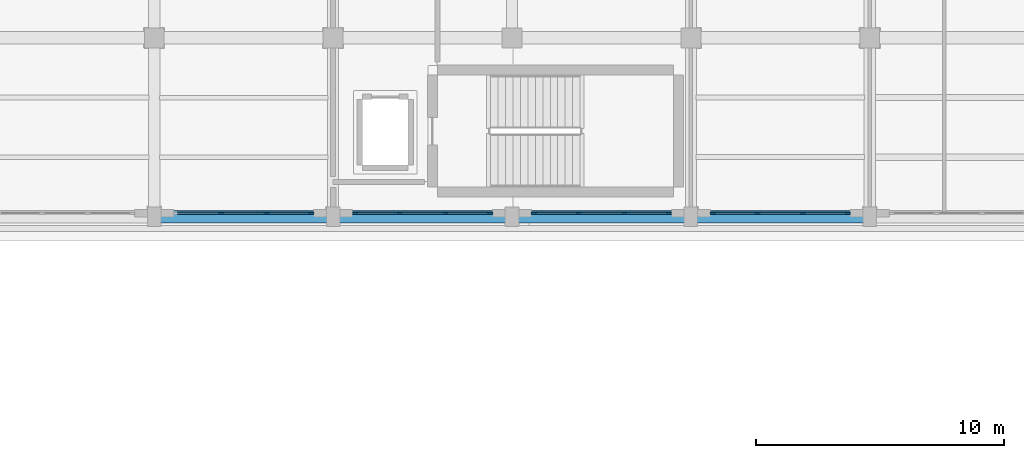
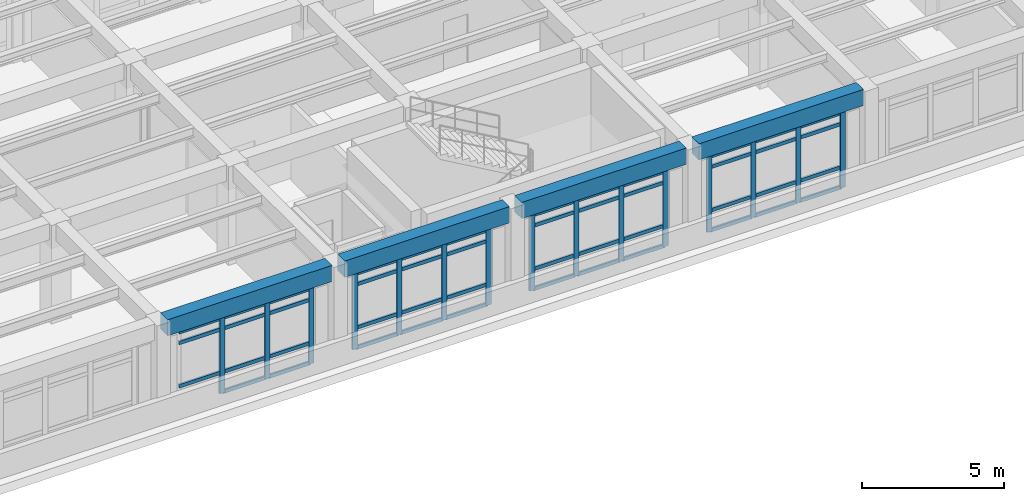
# One storey, part 51 of 98: 62 members, 4 beams, 4 elements without a shape of their own.
"""IFC4 building model written with IfcOpenShell, lengths in metres."""

from ifc_helpers import new_model, si_unit, direction, frame, origin, origin_2d, place, context, subcontext, project, spatial, rectangle, extrude, material, layer, layer_set, material_profile, profile_set, type_object, element, aggregate, save


model = new_model("IFC4")

# Units and contexts
model_context = context("Model", 3, precision=1e-05, world=origin(), true_north=direction((0.0, 1.0)))
body_context = subcontext(model_context, "Body", "Model", "MODEL_VIEW")
ifc_project = project(units=[si_unit("LENGTHUNIT", "METRE"), si_unit("AREAUNIT", "SQUARE_METRE"), si_unit("VOLUMEUNIT", "CUBIC_METRE"), si_unit("PLANEANGLEUNIT", "RADIAN"), si_unit("MASSUNIT", "GRAM", prefix="KILO")], contexts=[model_context])

# Site, building, storey
site_placement = place(None, origin())
site = spatial("IfcSite", under=ifc_project, at=site_placement, CompositionType="ELEMENT")
building_placement = place(site_placement, origin())
building = spatial("IfcBuilding", under=site, at=building_placement, Name="Solenvale Faculty of Natural Sciences", CompositionType="ELEMENT")
storey_placement = place(building_placement, frame((0.0, 0.0, 9.0)))
storey = spatial("IfcBuildingStorey", under=building, at=storey_placement, Name="L02", CompositionType="ELEMENT", Elevation=9.0)

# Beams
ifc_material_1 = material(Name="Concrete 40 MPa", Category="concrete")
ifc_material_profile_1 = material_profile(ifc_material_1, rectangle(XDim=0.5, YDim=0.699951171875, at=origin_2d()), Name="RC-BM-500x700")
ifc_profile_set_1 = profile_set([ifc_material_profile_1], Name="Concrete 40 MPa")
beam_type = type_object("IfcBeamType", Name="BM-RC-500x700", PredefinedType="BEAM", material=ifc_profile_set_1)
beam_1_placement = place(storey_placement, frame((93.85498046875, 93.60009765625, 3.8701171875), z_axis=(1.0, 0.0, 0.0), x_axis=(0.0, 1.0, 0.0)))
element("IfcBeam", 1, at=beam_1_placement, inside=storey, type_object=beam_type, Name="L02 X-Girder Y93.6 (93.6..100.8)", PredefinedType="BEAM", context=body_context, shape_type="SweptSolid", body=[
    extrude(rectangle(XDim=0.5, YDim=0.699951171875, at=origin_2d()), origin(), (0.0, 0.0, 1.0), 6.68994140625),
])
for number, where, z_axis, x_axis, name in (
    (2, (101.054931640625, 93.60009765625, 3.8701171875), (1.0, 0.0, 0.0), (0.0, 1.0, 0.0), "L02 X-Girder Y93.6 (100.8..108.0)"),
    (3, (108.2548828125, 93.60009765625, 3.8701171875), (1.0, 0.0, 0.0), (0.0, 1.0, 0.0), "L02 X-Girder Y93.6 (108.0..115.2)"),
):
    element("IfcBeam", number, at=place(storey_placement, frame(where, z_axis=z_axis, x_axis=x_axis)), inside=storey, type_object=beam_type, Name=name, PredefinedType="BEAM", context=body_context, shape_type="SweptSolid", body=[
        extrude(rectangle(XDim=0.5, YDim=0.699951171875, at=origin_2d()), origin(), (0.0, 0.0, 1.0), 6.690185546875),
    ])
beam_2_placement = place(storey_placement, frame((115.455078125, 93.60009765625, 3.8701171875), z_axis=(1.0, 0.0, 0.0), x_axis=(0.0, 1.0, 0.0)))
element("IfcBeam", 4, at=beam_2_placement, inside=storey, type_object=beam_type, Name="L02 X-Girder Y93.6 (115.2..122.4)", PredefinedType="BEAM", context=body_context, shape_type="SweptSolid", body=[
    extrude(rectangle(XDim=0.5, YDim=0.699951171875, at=origin_2d()), origin(), (0.0, 0.0, 1.0), 6.68994140625),
])

# Curtain wall, members
ifc_material_2 = material(Name="Anodised bronze aluminium", Category="aluminium")
ifc_layer = layer(ifc_material_2, 0.179931640625)
ifc_layer_set = layer_set([ifc_layer], Name="Anodised bronze aluminium")
curtain_wall_type = type_object("IfcCurtainWallType", Name="CW-TWR-MOD", PredefinedType="USERDEFINED", material=ifc_layer_set)
curtain_wall_1_placement = place(storey_placement, origin())
curtain_wall_1 = element("IfcCurtainWall", 5, at=curtain_wall_1_placement, inside=storey, type_object=curtain_wall_type, Name="L02 Curtain Wall CW-L02-P2-E6-B3", ObjectType="UNITISED CURTAIN WALL", PredefinedType="USERDEFINED")
ifc_material_profile_2 = material_profile(ifc_material_2, rectangle(XDim=0.074951171875, YDim=0.2099609375, at=origin_2d()), Name="ALU-MUL-75x210")
ifc_profile_set_2 = profile_set([ifc_material_profile_2], Name="Anodised bronze aluminium")
member_type_1 = type_object("IfcMemberType", Name="CWM-ALU-75x210", PredefinedType="MULLION", material=ifc_profile_set_2)
member_1_placement = place(storey_placement, frame((96.283447265625, 93.742431640625, 0.0), z_axis=(0.0, 0.0, 1.0), x_axis=(0.0, 1.0, 0.0)))
member_1 = element("IfcMember", 6, at=member_1_placement, type_object=member_type_1, Name="CW-04 mullion 2", PredefinedType="MULLION", context=body_context, shape_type="SweptSolid", body=[
    extrude(rectangle(XDim=0.074951171875, YDim=0.2099609375, at=origin_2d()), origin(), (0.0, 0.0, 1.0), 3.260009765625),
])
member_2_placement = place(storey_placement, frame((98.11669921875, 93.742431640625, 0.0), z_axis=(0.0, 0.0, 1.0), x_axis=(0.0, 1.0, 0.0)))
member_2 = element("IfcMember", 7, at=member_2_placement, type_object=member_type_1, Name="CW-04 mullion 3", PredefinedType="MULLION", context=body_context, shape_type="SweptSolid", body=[
    extrude(rectangle(XDim=0.074951171875, YDim=0.2099609375, at=origin_2d()), origin(), (0.0, 0.0, 1.0), 3.260009765625),
])
member_3_placement = place(storey_placement, frame((99.91259765625, 93.742431640625, 0.0), z_axis=(0.0, 0.0, 1.0), x_axis=(0.0, 1.0, 0.0)))
member_3 = element("IfcMember", 8, at=member_3_placement, type_object=member_type_1, Name="CW-04 mullion 4", PredefinedType="MULLION", context=body_context, shape_type="SweptSolid", body=[
    extrude(rectangle(XDim=0.074951171875, YDim=0.2099609375, at=origin_2d()), origin(), (0.0, 0.0, 1.0), 3.260009765625),
])

curtain_wall_2_placement = place(storey_placement, origin())
curtain_wall_2 = element("IfcCurtainWall", 9, at=curtain_wall_2_placement, inside=storey, type_object=curtain_wall_type, Name="L02 Curtain Wall CW-L02-P2-E6-B4", ObjectType="UNITISED CURTAIN WALL", PredefinedType="USERDEFINED")
member_4_placement = place(storey_placement, frame((101.6875, 93.742431640625, 0.0), z_axis=(0.0, 0.0, 1.0), x_axis=(0.0, 1.0, 0.0)))
member_4 = element("IfcMember", 10, at=member_4_placement, type_object=member_type_1, Name="CW-04 mullion 1", PredefinedType="MULLION", context=body_context, shape_type="SweptSolid", body=[
    extrude(rectangle(XDim=0.074951171875, YDim=0.2099609375, at=origin_2d()), origin(), (0.0, 0.0, 1.0), 3.260009765625),
])
member_5_placement = place(storey_placement, frame((103.4833984375, 93.742431640625, 0.0), z_axis=(0.0, 0.0, 1.0), x_axis=(0.0, 1.0, 0.0)))
member_5 = element("IfcMember", 11, at=member_5_placement, type_object=member_type_1, Name="CW-04 mullion 2", PredefinedType="MULLION", context=body_context, shape_type="SweptSolid", body=[
    extrude(rectangle(XDim=0.074951171875, YDim=0.2099609375, at=origin_2d()), origin(), (0.0, 0.0, 1.0), 3.260009765625),
])
member_6_placement = place(storey_placement, frame((105.316650390625, 93.742431640625, 0.0), z_axis=(0.0, 0.0, 1.0), x_axis=(0.0, 1.0, 0.0)))
member_6 = element("IfcMember", 12, at=member_6_placement, type_object=member_type_1, Name="CW-04 mullion 3", PredefinedType="MULLION", context=body_context, shape_type="SweptSolid", body=[
    extrude(rectangle(XDim=0.074951171875, YDim=0.2099609375, at=origin_2d()), origin(), (0.0, 0.0, 1.0), 3.260009765625),
])
member_7_placement = place(storey_placement, frame((107.112548828125, 93.742431640625, 0.0), z_axis=(0.0, 0.0, 1.0), x_axis=(0.0, 1.0, 0.0)))
member_7 = element("IfcMember", 13, at=member_7_placement, type_object=member_type_1, Name="CW-04 mullion 4", PredefinedType="MULLION", context=body_context, shape_type="SweptSolid", body=[
    extrude(rectangle(XDim=0.074951171875, YDim=0.2099609375, at=origin_2d()), origin(), (0.0, 0.0, 1.0), 3.260009765625),
])

curtain_wall_3_placement = place(storey_placement, origin())
curtain_wall_3 = element("IfcCurtainWall", 14, at=curtain_wall_3_placement, inside=storey, type_object=curtain_wall_type, Name="L02 Curtain Wall CW-L02-P2-E6-B5", ObjectType="UNITISED CURTAIN WALL", PredefinedType="USERDEFINED")
member_8_placement = place(storey_placement, frame((108.887451171875, 93.742431640625, 0.0), z_axis=(0.0, 0.0, 1.0), x_axis=(0.0, 1.0, 0.0)))
member_8 = element("IfcMember", 15, at=member_8_placement, type_object=member_type_1, Name="CW-04 mullion 1", PredefinedType="MULLION", context=body_context, shape_type="SweptSolid", body=[
    extrude(rectangle(XDim=0.074951171875, YDim=0.2099609375, at=origin_2d()), origin(), (0.0, 0.0, 1.0), 3.260009765625),
])
member_9_placement = place(storey_placement, frame((110.683349609375, 93.742431640625, 0.0), z_axis=(0.0, 0.0, 1.0), x_axis=(0.0, 1.0, 0.0)))
member_9 = element("IfcMember", 16, at=member_9_placement, type_object=member_type_1, Name="CW-04 mullion 2", PredefinedType="MULLION", context=body_context, shape_type="SweptSolid", body=[
    extrude(rectangle(XDim=0.074951171875, YDim=0.2099609375, at=origin_2d()), origin(), (0.0, 0.0, 1.0), 3.260009765625),
])
member_10_placement = place(storey_placement, frame((112.5166015625, 93.742431640625, 0.0), z_axis=(0.0, 0.0, 1.0), x_axis=(0.0, 1.0, 0.0)))
member_10 = element("IfcMember", 17, at=member_10_placement, type_object=member_type_1, Name="CW-04 mullion 3", PredefinedType="MULLION", context=body_context, shape_type="SweptSolid", body=[
    extrude(rectangle(XDim=0.074951171875, YDim=0.2099609375, at=origin_2d()), origin(), (0.0, 0.0, 1.0), 3.260009765625),
])
member_11_placement = place(storey_placement, frame((114.3125, 93.742431640625, 0.0), z_axis=(0.0, 0.0, 1.0), x_axis=(0.0, 1.0, 0.0)))
member_11 = element("IfcMember", 18, at=member_11_placement, type_object=member_type_1, Name="CW-04 mullion 4", PredefinedType="MULLION", context=body_context, shape_type="SweptSolid", body=[
    extrude(rectangle(XDim=0.074951171875, YDim=0.2099609375, at=origin_2d()), origin(), (0.0, 0.0, 1.0), 3.260009765625),
])

curtain_wall_4_placement = place(storey_placement, origin())
curtain_wall_4 = element("IfcCurtainWall", 19, at=curtain_wall_4_placement, inside=storey, type_object=curtain_wall_type, Name="L02 Curtain Wall CW-L02-P2-E6-B6", ObjectType="UNITISED CURTAIN WALL", PredefinedType="USERDEFINED")
member_12_placement = place(storey_placement, frame((116.08740234375, 93.742431640625, 0.0), z_axis=(0.0, 0.0, 1.0), x_axis=(0.0, 1.0, 0.0)))
member_12 = element("IfcMember", 20, at=member_12_placement, type_object=member_type_1, Name="CW-04 mullion 1", PredefinedType="MULLION", context=body_context, shape_type="SweptSolid", body=[
    extrude(rectangle(XDim=0.074951171875, YDim=0.2099609375, at=origin_2d()), origin(), (0.0, 0.0, 1.0), 3.260009765625),
])
member_13_placement = place(storey_placement, frame((117.88330078125, 93.742431640625, 0.0), z_axis=(0.0, 0.0, 1.0), x_axis=(0.0, 1.0, 0.0)))
member_13 = element("IfcMember", 21, at=member_13_placement, type_object=member_type_1, Name="CW-04 mullion 2", PredefinedType="MULLION", context=body_context, shape_type="SweptSolid", body=[
    extrude(rectangle(XDim=0.074951171875, YDim=0.2099609375, at=origin_2d()), origin(), (0.0, 0.0, 1.0), 3.260009765625),
])
member_14_placement = place(storey_placement, frame((119.716552734375, 93.742431640625, 0.0), z_axis=(0.0, 0.0, 1.0), x_axis=(0.0, 1.0, 0.0)))
member_14 = element("IfcMember", 22, at=member_14_placement, type_object=member_type_1, Name="CW-04 mullion 3", PredefinedType="MULLION", context=body_context, shape_type="SweptSolid", body=[
    extrude(rectangle(XDim=0.074951171875, YDim=0.2099609375, at=origin_2d()), origin(), (0.0, 0.0, 1.0), 3.260009765625),
])
member_15_placement = place(storey_placement, frame((121.512451171875, 93.742431640625, 0.0), z_axis=(0.0, 0.0, 1.0), x_axis=(0.0, 1.0, 0.0)))
member_15 = element("IfcMember", 23, at=member_15_placement, type_object=member_type_1, Name="CW-04 mullion 4", PredefinedType="MULLION", context=body_context, shape_type="SweptSolid", body=[
    extrude(rectangle(XDim=0.074951171875, YDim=0.2099609375, at=origin_2d()), origin(), (0.0, 0.0, 1.0), 3.260009765625),
])

# Member
ifc_material_profile_3 = material_profile(ifc_material_2, rectangle(XDim=0.074951171875, YDim=0.155029296875, at=origin_2d()), Name="ALU-TRN-75x155")
ifc_profile_set_3 = profile_set([ifc_material_profile_3], Name="Anodised bronze aluminium")
member_type_2 = type_object("IfcMemberType", Name="CWT-ALU-75x155", PredefinedType="USERDEFINED", material=ifc_profile_set_3)
member_16_placement = place(storey_placement, frame((94.52490234375, 93.742431640625, 0.89990234375), z_axis=(1.0, 0.0, 0.0), x_axis=(0.0, 1.0, 0.0)))
member_16 = element("IfcMember", 24, at=member_16_placement, type_object=member_type_2, Name="CW-04 transom 1.2", ObjectType="TRANSOM", PredefinedType="USERDEFINED", context=body_context, shape_type="SweptSolid", body=[
    extrude(rectangle(XDim=0.074951171875, YDim=0.155029296875, at=origin_2d()), origin(), (0.0, 0.0, 1.0), 1.720947265625),
])

member_17_placement = place(storey_placement, frame((94.52490234375, 93.742431640625, 2.760009765625), z_axis=(1.0, 0.0, 0.0), x_axis=(0.0, 1.0, 0.0)))
member_17 = element("IfcMember", 25, at=member_17_placement, type_object=member_type_2, Name="CW-04 transom 1.3", ObjectType="TRANSOM", PredefinedType="USERDEFINED", context=body_context, shape_type="SweptSolid", body=[
    extrude(rectangle(XDim=0.074951171875, YDim=0.155029296875, at=origin_2d()), origin(), (0.0, 0.0, 1.0), 1.720947265625),
])

member_18_placement = place(storey_placement, frame((94.52490234375, 93.742431640625, 3.222412109375), z_axis=(1.0, 0.0, 0.0), x_axis=(0.0, 1.0, 0.0)))
member_18 = element("IfcMember", 26, at=member_18_placement, type_object=member_type_2, Name="CW-04 transom 1.4", ObjectType="TRANSOM", PredefinedType="USERDEFINED", context=body_context, shape_type="SweptSolid", body=[
    extrude(rectangle(XDim=0.074951171875, YDim=0.155029296875, at=origin_2d()), origin(), (0.0, 0.0, 1.0), 1.720947265625),
])

member_19_placement = place(storey_placement, frame((96.32080078125, 93.742431640625, 0.03759765625), z_axis=(1.0, 0.0, 0.0), x_axis=(0.0, 1.0, 0.0)))
member_19 = element("IfcMember", 27, at=member_19_placement, type_object=member_type_2, Name="CW-04 transom 2.1", ObjectType="TRANSOM", PredefinedType="USERDEFINED", context=body_context, shape_type="SweptSolid", body=[
    extrude(rectangle(XDim=0.074951171875, YDim=0.155029296875, at=origin_2d()), origin(), (0.0, 0.0, 1.0), 1.75830078125),
])

member_20_placement = place(storey_placement, frame((96.32080078125, 93.742431640625, 0.89990234375), z_axis=(1.0, 0.0, 0.0), x_axis=(0.0, 1.0, 0.0)))
member_20 = element("IfcMember", 28, at=member_20_placement, type_object=member_type_2, Name="CW-04 transom 2.2", ObjectType="TRANSOM", PredefinedType="USERDEFINED", context=body_context, shape_type="SweptSolid", body=[
    extrude(rectangle(XDim=0.074951171875, YDim=0.155029296875, at=origin_2d()), origin(), (0.0, 0.0, 1.0), 1.75830078125),
])

member_21_placement = place(storey_placement, frame((96.32080078125, 93.742431640625, 2.760009765625), z_axis=(1.0, 0.0, 0.0), x_axis=(0.0, 1.0, 0.0)))
member_21 = element("IfcMember", 29, at=member_21_placement, type_object=member_type_2, Name="CW-04 transom 2.3", ObjectType="TRANSOM", PredefinedType="USERDEFINED", context=body_context, shape_type="SweptSolid", body=[
    extrude(rectangle(XDim=0.074951171875, YDim=0.155029296875, at=origin_2d()), origin(), (0.0, 0.0, 1.0), 1.75830078125),
])

member_22_placement = place(storey_placement, frame((96.32080078125, 93.742431640625, 3.222412109375), z_axis=(1.0, 0.0, 0.0), x_axis=(0.0, 1.0, 0.0)))
member_22 = element("IfcMember", 30, at=member_22_placement, type_object=member_type_2, Name="CW-04 transom 2.4", ObjectType="TRANSOM", PredefinedType="USERDEFINED", context=body_context, shape_type="SweptSolid", body=[
    extrude(rectangle(XDim=0.074951171875, YDim=0.155029296875, at=origin_2d()), origin(), (0.0, 0.0, 1.0), 1.75830078125),
])

member_23_placement = place(storey_placement, frame((98.154052734375, 93.742431640625, 0.03759765625), z_axis=(1.0, 0.0, 0.0), x_axis=(0.0, 1.0, 0.0)))
member_23 = element("IfcMember", 31, at=member_23_placement, type_object=member_type_2, Name="CW-04 transom 3.1", ObjectType="TRANSOM", PredefinedType="USERDEFINED", context=body_context, shape_type="SweptSolid", body=[
    extrude(rectangle(XDim=0.074951171875, YDim=0.155029296875, at=origin_2d()), origin(), (0.0, 0.0, 1.0), 1.720947265625),
])

member_24_placement = place(storey_placement, frame((98.154052734375, 93.742431640625, 0.89990234375), z_axis=(1.0, 0.0, 0.0), x_axis=(0.0, 1.0, 0.0)))
member_24 = element("IfcMember", 32, at=member_24_placement, type_object=member_type_2, Name="CW-04 transom 3.2", ObjectType="TRANSOM", PredefinedType="USERDEFINED", context=body_context, shape_type="SweptSolid", body=[
    extrude(rectangle(XDim=0.074951171875, YDim=0.155029296875, at=origin_2d()), origin(), (0.0, 0.0, 1.0), 1.720947265625),
])

member_25_placement = place(storey_placement, frame((98.154052734375, 93.742431640625, 2.760009765625), z_axis=(1.0, 0.0, 0.0), x_axis=(0.0, 1.0, 0.0)))
member_25 = element("IfcMember", 33, at=member_25_placement, type_object=member_type_2, Name="CW-04 transom 3.3", ObjectType="TRANSOM", PredefinedType="USERDEFINED", context=body_context, shape_type="SweptSolid", body=[
    extrude(rectangle(XDim=0.074951171875, YDim=0.155029296875, at=origin_2d()), origin(), (0.0, 0.0, 1.0), 1.720947265625),
])

member_26_placement = place(storey_placement, frame((98.154052734375, 93.742431640625, 3.222412109375), z_axis=(1.0, 0.0, 0.0), x_axis=(0.0, 1.0, 0.0)))
member_26 = element("IfcMember", 34, at=member_26_placement, type_object=member_type_2, Name="CW-04 transom 3.4", ObjectType="TRANSOM", PredefinedType="USERDEFINED", context=body_context, shape_type="SweptSolid", body=[
    extrude(rectangle(XDim=0.074951171875, YDim=0.155029296875, at=origin_2d()), origin(), (0.0, 0.0, 1.0), 1.720947265625),
])

aggregate(curtain_wall_1, [member_1, member_2, member_3, member_16, member_17, member_18, member_19, member_20, member_21, member_22, member_23, member_24, member_25, member_26])

member_27_placement = place(storey_placement, frame((101.72509765625, 93.742431640625, 0.03759765625), z_axis=(1.0, 0.0, 0.0), x_axis=(0.0, 1.0, 0.0)))
member_27 = element("IfcMember", 35, at=member_27_placement, type_object=member_type_2, Name="CW-04 transom 1.1", ObjectType="TRANSOM", PredefinedType="USERDEFINED", context=body_context, shape_type="SweptSolid", body=[
    extrude(rectangle(XDim=0.074951171875, YDim=0.155029296875, at=origin_2d()), origin(), (0.0, 0.0, 1.0), 1.720703125),
])

member_28_placement = place(storey_placement, frame((101.72509765625, 93.742431640625, 0.89990234375), z_axis=(1.0, 0.0, 0.0), x_axis=(0.0, 1.0, 0.0)))
member_28 = element("IfcMember", 36, at=member_28_placement, type_object=member_type_2, Name="CW-04 transom 1.2", ObjectType="TRANSOM", PredefinedType="USERDEFINED", context=body_context, shape_type="SweptSolid", body=[
    extrude(rectangle(XDim=0.074951171875, YDim=0.155029296875, at=origin_2d()), origin(), (0.0, 0.0, 1.0), 1.720703125),
])

member_29_placement = place(storey_placement, frame((101.72509765625, 93.742431640625, 2.760009765625), z_axis=(1.0, 0.0, 0.0), x_axis=(0.0, 1.0, 0.0)))
member_29 = element("IfcMember", 37, at=member_29_placement, type_object=member_type_2, Name="CW-04 transom 1.3", ObjectType="TRANSOM", PredefinedType="USERDEFINED", context=body_context, shape_type="SweptSolid", body=[
    extrude(rectangle(XDim=0.074951171875, YDim=0.155029296875, at=origin_2d()), origin(), (0.0, 0.0, 1.0), 1.720703125),
])

member_30_placement = place(storey_placement, frame((101.72509765625, 93.742431640625, 3.222412109375), z_axis=(1.0, 0.0, 0.0), x_axis=(0.0, 1.0, 0.0)))
member_30 = element("IfcMember", 38, at=member_30_placement, type_object=member_type_2, Name="CW-04 transom 1.4", ObjectType="TRANSOM", PredefinedType="USERDEFINED", context=body_context, shape_type="SweptSolid", body=[
    extrude(rectangle(XDim=0.074951171875, YDim=0.155029296875, at=origin_2d()), origin(), (0.0, 0.0, 1.0), 1.720703125),
])

member_31_placement = place(storey_placement, frame((103.520751953125, 93.742431640625, 0.03759765625), z_axis=(1.0, 0.0, 0.0), x_axis=(0.0, 1.0, 0.0)))
member_31 = element("IfcMember", 39, at=member_31_placement, type_object=member_type_2, Name="CW-04 transom 2.1", ObjectType="TRANSOM", PredefinedType="USERDEFINED", context=body_context, shape_type="SweptSolid", body=[
    extrude(rectangle(XDim=0.074951171875, YDim=0.155029296875, at=origin_2d()), origin(), (0.0, 0.0, 1.0), 1.75830078125),
])

member_32_placement = place(storey_placement, frame((103.520751953125, 93.742431640625, 0.89990234375), z_axis=(1.0, 0.0, 0.0), x_axis=(0.0, 1.0, 0.0)))
member_32 = element("IfcMember", 40, at=member_32_placement, type_object=member_type_2, Name="CW-04 transom 2.2", ObjectType="TRANSOM", PredefinedType="USERDEFINED", context=body_context, shape_type="SweptSolid", body=[
    extrude(rectangle(XDim=0.074951171875, YDim=0.155029296875, at=origin_2d()), origin(), (0.0, 0.0, 1.0), 1.75830078125),
])

member_33_placement = place(storey_placement, frame((103.520751953125, 93.742431640625, 2.760009765625), z_axis=(1.0, 0.0, 0.0), x_axis=(0.0, 1.0, 0.0)))
member_33 = element("IfcMember", 41, at=member_33_placement, type_object=member_type_2, Name="CW-04 transom 2.3", ObjectType="TRANSOM", PredefinedType="USERDEFINED", context=body_context, shape_type="SweptSolid", body=[
    extrude(rectangle(XDim=0.074951171875, YDim=0.155029296875, at=origin_2d()), origin(), (0.0, 0.0, 1.0), 1.75830078125),
])

member_34_placement = place(storey_placement, frame((103.520751953125, 93.742431640625, 3.222412109375), z_axis=(1.0, 0.0, 0.0), x_axis=(0.0, 1.0, 0.0)))
member_34 = element("IfcMember", 42, at=member_34_placement, type_object=member_type_2, Name="CW-04 transom 2.4", ObjectType="TRANSOM", PredefinedType="USERDEFINED", context=body_context, shape_type="SweptSolid", body=[
    extrude(rectangle(XDim=0.074951171875, YDim=0.155029296875, at=origin_2d()), origin(), (0.0, 0.0, 1.0), 1.75830078125),
])

member_35_placement = place(storey_placement, frame((105.354248046875, 93.742431640625, 0.03759765625), z_axis=(1.0, 0.0, 0.0), x_axis=(0.0, 1.0, 0.0)))
member_35 = element("IfcMember", 43, at=member_35_placement, type_object=member_type_2, Name="CW-04 transom 3.1", ObjectType="TRANSOM", PredefinedType="USERDEFINED", context=body_context, shape_type="SweptSolid", body=[
    extrude(rectangle(XDim=0.074951171875, YDim=0.155029296875, at=origin_2d()), origin(), (0.0, 0.0, 1.0), 1.720703125),
])

member_36_placement = place(storey_placement, frame((105.354248046875, 93.742431640625, 0.89990234375), z_axis=(1.0, 0.0, 0.0), x_axis=(0.0, 1.0, 0.0)))
member_36 = element("IfcMember", 44, at=member_36_placement, type_object=member_type_2, Name="CW-04 transom 3.2", ObjectType="TRANSOM", PredefinedType="USERDEFINED", context=body_context, shape_type="SweptSolid", body=[
    extrude(rectangle(XDim=0.074951171875, YDim=0.155029296875, at=origin_2d()), origin(), (0.0, 0.0, 1.0), 1.720703125),
])

member_37_placement = place(storey_placement, frame((105.354248046875, 93.742431640625, 2.760009765625), z_axis=(1.0, 0.0, 0.0), x_axis=(0.0, 1.0, 0.0)))
member_37 = element("IfcMember", 45, at=member_37_placement, type_object=member_type_2, Name="CW-04 transom 3.3", ObjectType="TRANSOM", PredefinedType="USERDEFINED", context=body_context, shape_type="SweptSolid", body=[
    extrude(rectangle(XDim=0.074951171875, YDim=0.155029296875, at=origin_2d()), origin(), (0.0, 0.0, 1.0), 1.720703125),
])

member_38_placement = place(storey_placement, frame((105.354248046875, 93.742431640625, 3.222412109375), z_axis=(1.0, 0.0, 0.0), x_axis=(0.0, 1.0, 0.0)))
member_38 = element("IfcMember", 46, at=member_38_placement, type_object=member_type_2, Name="CW-04 transom 3.4", ObjectType="TRANSOM", PredefinedType="USERDEFINED", context=body_context, shape_type="SweptSolid", body=[
    extrude(rectangle(XDim=0.074951171875, YDim=0.155029296875, at=origin_2d()), origin(), (0.0, 0.0, 1.0), 1.720703125),
])

aggregate(curtain_wall_2, [member_4, member_5, member_6, member_7, member_27, member_28, member_29, member_30, member_31, member_32, member_33, member_34, member_35, member_36, member_37, member_38])

member_39_placement = place(storey_placement, frame((108.925048828125, 93.742431640625, 0.03759765625), z_axis=(1.0, 0.0, 0.0), x_axis=(0.0, 1.0, 0.0)))
member_39 = element("IfcMember", 47, at=member_39_placement, type_object=member_type_2, Name="CW-04 transom 1.1", ObjectType="TRANSOM", PredefinedType="USERDEFINED", context=body_context, shape_type="SweptSolid", body=[
    extrude(rectangle(XDim=0.074951171875, YDim=0.155029296875, at=origin_2d()), origin(), (0.0, 0.0, 1.0), 1.720703125),
])

member_40_placement = place(storey_placement, frame((108.925048828125, 93.742431640625, 0.89990234375), z_axis=(1.0, 0.0, 0.0), x_axis=(0.0, 1.0, 0.0)))
member_40 = element("IfcMember", 48, at=member_40_placement, type_object=member_type_2, Name="CW-04 transom 1.2", ObjectType="TRANSOM", PredefinedType="USERDEFINED", context=body_context, shape_type="SweptSolid", body=[
    extrude(rectangle(XDim=0.074951171875, YDim=0.155029296875, at=origin_2d()), origin(), (0.0, 0.0, 1.0), 1.720703125),
])

member_41_placement = place(storey_placement, frame((108.925048828125, 93.742431640625, 2.760009765625), z_axis=(1.0, 0.0, 0.0), x_axis=(0.0, 1.0, 0.0)))
member_41 = element("IfcMember", 49, at=member_41_placement, type_object=member_type_2, Name="CW-04 transom 1.3", ObjectType="TRANSOM", PredefinedType="USERDEFINED", context=body_context, shape_type="SweptSolid", body=[
    extrude(rectangle(XDim=0.074951171875, YDim=0.155029296875, at=origin_2d()), origin(), (0.0, 0.0, 1.0), 1.720703125),
])

member_42_placement = place(storey_placement, frame((108.925048828125, 93.742431640625, 3.222412109375), z_axis=(1.0, 0.0, 0.0), x_axis=(0.0, 1.0, 0.0)))
member_42 = element("IfcMember", 50, at=member_42_placement, type_object=member_type_2, Name="CW-04 transom 1.4", ObjectType="TRANSOM", PredefinedType="USERDEFINED", context=body_context, shape_type="SweptSolid", body=[
    extrude(rectangle(XDim=0.074951171875, YDim=0.155029296875, at=origin_2d()), origin(), (0.0, 0.0, 1.0), 1.720703125),
])

member_43_placement = place(storey_placement, frame((110.720947265625, 93.742431640625, 0.03759765625), z_axis=(1.0, 0.0, 0.0), x_axis=(0.0, 1.0, 0.0)))
member_43 = element("IfcMember", 51, at=member_43_placement, type_object=member_type_2, Name="CW-04 transom 2.1", ObjectType="TRANSOM", PredefinedType="USERDEFINED", context=body_context, shape_type="SweptSolid", body=[
    extrude(rectangle(XDim=0.074951171875, YDim=0.155029296875, at=origin_2d()), origin(), (0.0, 0.0, 1.0), 1.75830078125),
])

member_44_placement = place(storey_placement, frame((110.720947265625, 93.742431640625, 0.89990234375), z_axis=(1.0, 0.0, 0.0), x_axis=(0.0, 1.0, 0.0)))
member_44 = element("IfcMember", 52, at=member_44_placement, type_object=member_type_2, Name="CW-04 transom 2.2", ObjectType="TRANSOM", PredefinedType="USERDEFINED", context=body_context, shape_type="SweptSolid", body=[
    extrude(rectangle(XDim=0.074951171875, YDim=0.155029296875, at=origin_2d()), origin(), (0.0, 0.0, 1.0), 1.75830078125),
])

member_45_placement = place(storey_placement, frame((110.720947265625, 93.742431640625, 2.760009765625), z_axis=(1.0, 0.0, 0.0), x_axis=(0.0, 1.0, 0.0)))
member_45 = element("IfcMember", 53, at=member_45_placement, type_object=member_type_2, Name="CW-04 transom 2.3", ObjectType="TRANSOM", PredefinedType="USERDEFINED", context=body_context, shape_type="SweptSolid", body=[
    extrude(rectangle(XDim=0.074951171875, YDim=0.155029296875, at=origin_2d()), origin(), (0.0, 0.0, 1.0), 1.75830078125),
])

member_46_placement = place(storey_placement, frame((110.720947265625, 93.742431640625, 3.222412109375), z_axis=(1.0, 0.0, 0.0), x_axis=(0.0, 1.0, 0.0)))
member_46 = element("IfcMember", 54, at=member_46_placement, type_object=member_type_2, Name="CW-04 transom 2.4", ObjectType="TRANSOM", PredefinedType="USERDEFINED", context=body_context, shape_type="SweptSolid", body=[
    extrude(rectangle(XDim=0.074951171875, YDim=0.155029296875, at=origin_2d()), origin(), (0.0, 0.0, 1.0), 1.75830078125),
])

member_47_placement = place(storey_placement, frame((112.55419921875, 93.742431640625, 0.03759765625), z_axis=(1.0, 0.0, 0.0), x_axis=(0.0, 1.0, 0.0)))
member_47 = element("IfcMember", 55, at=member_47_placement, type_object=member_type_2, Name="CW-04 transom 3.1", ObjectType="TRANSOM", PredefinedType="USERDEFINED", context=body_context, shape_type="SweptSolid", body=[
    extrude(rectangle(XDim=0.074951171875, YDim=0.155029296875, at=origin_2d()), origin(), (0.0, 0.0, 1.0), 1.720703125),
])

member_48_placement = place(storey_placement, frame((112.55419921875, 93.742431640625, 0.89990234375), z_axis=(1.0, 0.0, 0.0), x_axis=(0.0, 1.0, 0.0)))
member_48 = element("IfcMember", 56, at=member_48_placement, type_object=member_type_2, Name="CW-04 transom 3.2", ObjectType="TRANSOM", PredefinedType="USERDEFINED", context=body_context, shape_type="SweptSolid", body=[
    extrude(rectangle(XDim=0.074951171875, YDim=0.155029296875, at=origin_2d()), origin(), (0.0, 0.0, 1.0), 1.720703125),
])

member_49_placement = place(storey_placement, frame((112.55419921875, 93.742431640625, 2.760009765625), z_axis=(1.0, 0.0, 0.0), x_axis=(0.0, 1.0, 0.0)))
member_49 = element("IfcMember", 57, at=member_49_placement, type_object=member_type_2, Name="CW-04 transom 3.3", ObjectType="TRANSOM", PredefinedType="USERDEFINED", context=body_context, shape_type="SweptSolid", body=[
    extrude(rectangle(XDim=0.074951171875, YDim=0.155029296875, at=origin_2d()), origin(), (0.0, 0.0, 1.0), 1.720703125),
])

member_50_placement = place(storey_placement, frame((112.55419921875, 93.742431640625, 3.222412109375), z_axis=(1.0, 0.0, 0.0), x_axis=(0.0, 1.0, 0.0)))
member_50 = element("IfcMember", 58, at=member_50_placement, type_object=member_type_2, Name="CW-04 transom 3.4", ObjectType="TRANSOM", PredefinedType="USERDEFINED", context=body_context, shape_type="SweptSolid", body=[
    extrude(rectangle(XDim=0.074951171875, YDim=0.155029296875, at=origin_2d()), origin(), (0.0, 0.0, 1.0), 1.720703125),
])

aggregate(curtain_wall_3, [member_8, member_9, member_10, member_11, member_39, member_40, member_41, member_42, member_43, member_44, member_45, member_46, member_47, member_48, member_49, member_50])

member_51_placement = place(storey_placement, frame((116.125, 93.742431640625, 0.03759765625), z_axis=(1.0, 0.0, 0.0), x_axis=(0.0, 1.0, 0.0)))
member_51 = element("IfcMember", 59, at=member_51_placement, type_object=member_type_2, Name="CW-04 transom 1.1", ObjectType="TRANSOM", PredefinedType="USERDEFINED", context=body_context, shape_type="SweptSolid", body=[
    extrude(rectangle(XDim=0.074951171875, YDim=0.155029296875, at=origin_2d()), origin(), (0.0, 0.0, 1.0), 1.720947265625),
])

member_52_placement = place(storey_placement, frame((116.125, 93.742431640625, 0.89990234375), z_axis=(1.0, 0.0, 0.0), x_axis=(0.0, 1.0, 0.0)))
member_52 = element("IfcMember", 60, at=member_52_placement, type_object=member_type_2, Name="CW-04 transom 1.2", ObjectType="TRANSOM", PredefinedType="USERDEFINED", context=body_context, shape_type="SweptSolid", body=[
    extrude(rectangle(XDim=0.074951171875, YDim=0.155029296875, at=origin_2d()), origin(), (0.0, 0.0, 1.0), 1.720947265625),
])

member_53_placement = place(storey_placement, frame((116.125, 93.742431640625, 2.760009765625), z_axis=(1.0, 0.0, 0.0), x_axis=(0.0, 1.0, 0.0)))
member_53 = element("IfcMember", 61, at=member_53_placement, type_object=member_type_2, Name="CW-04 transom 1.3", ObjectType="TRANSOM", PredefinedType="USERDEFINED", context=body_context, shape_type="SweptSolid", body=[
    extrude(rectangle(XDim=0.074951171875, YDim=0.155029296875, at=origin_2d()), origin(), (0.0, 0.0, 1.0), 1.720947265625),
])

member_54_placement = place(storey_placement, frame((116.125, 93.742431640625, 3.222412109375), z_axis=(1.0, 0.0, 0.0), x_axis=(0.0, 1.0, 0.0)))
member_54 = element("IfcMember", 62, at=member_54_placement, type_object=member_type_2, Name="CW-04 transom 1.4", ObjectType="TRANSOM", PredefinedType="USERDEFINED", context=body_context, shape_type="SweptSolid", body=[
    extrude(rectangle(XDim=0.074951171875, YDim=0.155029296875, at=origin_2d()), origin(), (0.0, 0.0, 1.0), 1.720947265625),
])

member_55_placement = place(storey_placement, frame((117.9208984375, 93.742431640625, 0.03759765625), z_axis=(1.0, 0.0, 0.0), x_axis=(0.0, 1.0, 0.0)))
member_55 = element("IfcMember", 63, at=member_55_placement, type_object=member_type_2, Name="CW-04 transom 2.1", ObjectType="TRANSOM", PredefinedType="USERDEFINED", context=body_context, shape_type="SweptSolid", body=[
    extrude(rectangle(XDim=0.074951171875, YDim=0.155029296875, at=origin_2d()), origin(), (0.0, 0.0, 1.0), 1.75830078125),
])

member_56_placement = place(storey_placement, frame((117.9208984375, 93.742431640625, 0.89990234375), z_axis=(1.0, 0.0, 0.0), x_axis=(0.0, 1.0, 0.0)))
member_56 = element("IfcMember", 64, at=member_56_placement, type_object=member_type_2, Name="CW-04 transom 2.2", ObjectType="TRANSOM", PredefinedType="USERDEFINED", context=body_context, shape_type="SweptSolid", body=[
    extrude(rectangle(XDim=0.074951171875, YDim=0.155029296875, at=origin_2d()), origin(), (0.0, 0.0, 1.0), 1.75830078125),
])

member_57_placement = place(storey_placement, frame((117.9208984375, 93.742431640625, 2.760009765625), z_axis=(1.0, 0.0, 0.0), x_axis=(0.0, 1.0, 0.0)))
member_57 = element("IfcMember", 65, at=member_57_placement, type_object=member_type_2, Name="CW-04 transom 2.3", ObjectType="TRANSOM", PredefinedType="USERDEFINED", context=body_context, shape_type="SweptSolid", body=[
    extrude(rectangle(XDim=0.074951171875, YDim=0.155029296875, at=origin_2d()), origin(), (0.0, 0.0, 1.0), 1.75830078125),
])

member_58_placement = place(storey_placement, frame((117.9208984375, 93.742431640625, 3.222412109375), z_axis=(1.0, 0.0, 0.0), x_axis=(0.0, 1.0, 0.0)))
member_58 = element("IfcMember", 66, at=member_58_placement, type_object=member_type_2, Name="CW-04 transom 2.4", ObjectType="TRANSOM", PredefinedType="USERDEFINED", context=body_context, shape_type="SweptSolid", body=[
    extrude(rectangle(XDim=0.074951171875, YDim=0.155029296875, at=origin_2d()), origin(), (0.0, 0.0, 1.0), 1.75830078125),
])

member_59_placement = place(storey_placement, frame((119.754150390625, 93.742431640625, 0.03759765625), z_axis=(1.0, 0.0, 0.0), x_axis=(0.0, 1.0, 0.0)))
member_59 = element("IfcMember", 67, at=member_59_placement, type_object=member_type_2, Name="CW-04 transom 3.1", ObjectType="TRANSOM", PredefinedType="USERDEFINED", context=body_context, shape_type="SweptSolid", body=[
    extrude(rectangle(XDim=0.074951171875, YDim=0.155029296875, at=origin_2d()), origin(), (0.0, 0.0, 1.0), 1.720947265625),
])

member_60_placement = place(storey_placement, frame((119.754150390625, 93.742431640625, 0.89990234375), z_axis=(1.0, 0.0, 0.0), x_axis=(0.0, 1.0, 0.0)))
member_60 = element("IfcMember", 68, at=member_60_placement, type_object=member_type_2, Name="CW-04 transom 3.2", ObjectType="TRANSOM", PredefinedType="USERDEFINED", context=body_context, shape_type="SweptSolid", body=[
    extrude(rectangle(XDim=0.074951171875, YDim=0.155029296875, at=origin_2d()), origin(), (0.0, 0.0, 1.0), 1.720947265625),
])

member_61_placement = place(storey_placement, frame((119.754150390625, 93.742431640625, 2.760009765625), z_axis=(1.0, 0.0, 0.0), x_axis=(0.0, 1.0, 0.0)))
member_61 = element("IfcMember", 69, at=member_61_placement, type_object=member_type_2, Name="CW-04 transom 3.3", ObjectType="TRANSOM", PredefinedType="USERDEFINED", context=body_context, shape_type="SweptSolid", body=[
    extrude(rectangle(XDim=0.074951171875, YDim=0.155029296875, at=origin_2d()), origin(), (0.0, 0.0, 1.0), 1.720947265625),
])

member_62_placement = place(storey_placement, frame((119.754150390625, 93.742431640625, 3.222412109375), z_axis=(1.0, 0.0, 0.0), x_axis=(0.0, 1.0, 0.0)))
member_62 = element("IfcMember", 70, at=member_62_placement, type_object=member_type_2, Name="CW-04 transom 3.4", ObjectType="TRANSOM", PredefinedType="USERDEFINED", context=body_context, shape_type="SweptSolid", body=[
    extrude(rectangle(XDim=0.074951171875, YDim=0.155029296875, at=origin_2d()), origin(), (0.0, 0.0, 1.0), 1.720947265625),
])

aggregate(curtain_wall_4, [member_12, member_13, member_14, member_15, member_51, member_52, member_53, member_54, member_55, member_56, member_57, member_58, member_59, member_60, member_61, member_62])

save(model, "model.ifc")
